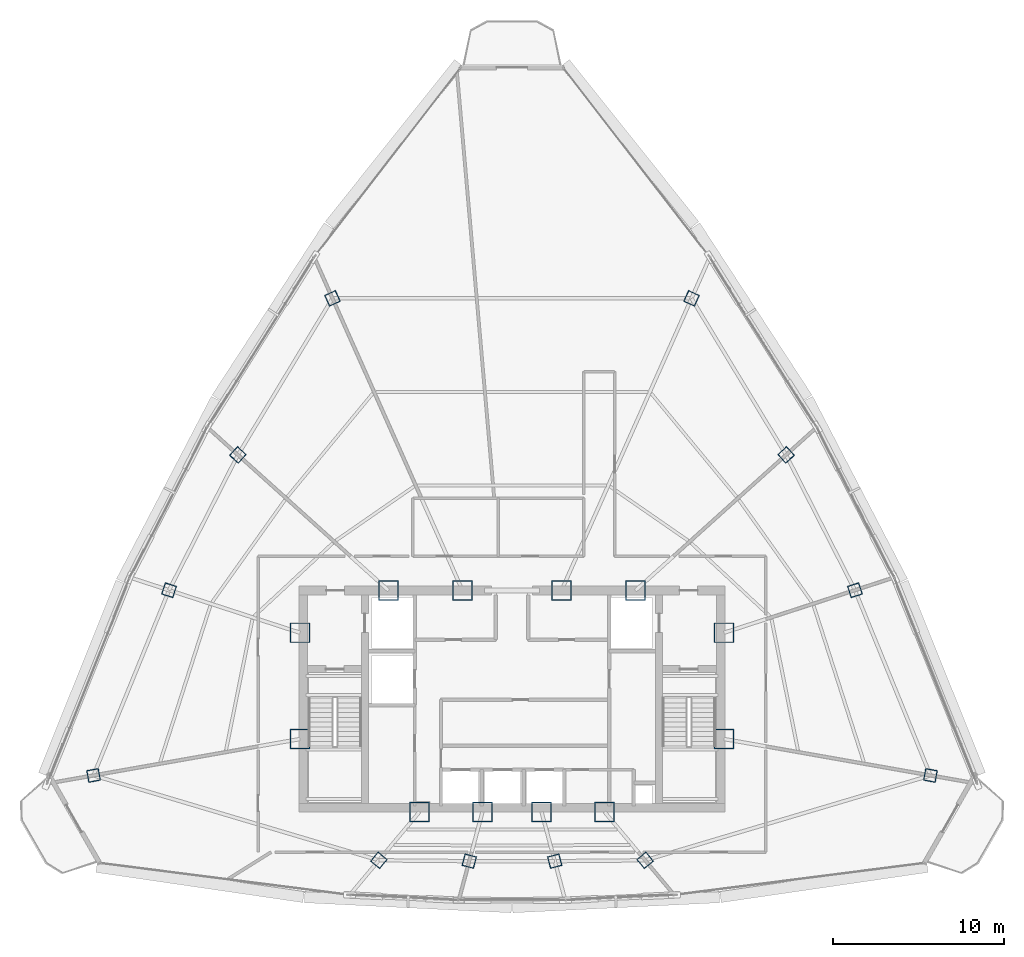
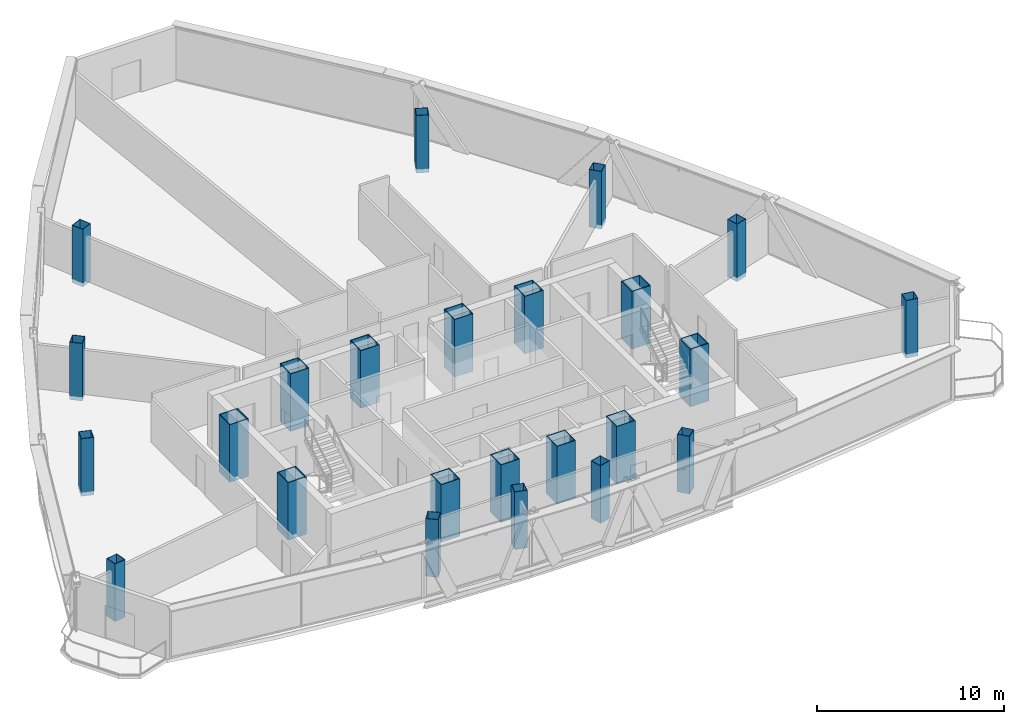
# One storey, part 1 of 30: 24 columns.
"""IFC4 building model written with IfcOpenShell, lengths in metres."""

from ifc_helpers import new_model, si_unit, direction, frame, origin, origin_2d, place, context, subcontext, project, spatial, hollow_rectangle, extrude, source, transform, mapped, material, material_profile, profile_set, type_object, element, save


model = new_model("IFC4")

# Units and contexts
model_context = context("Model", 3, precision=1e-05, world=origin(), true_north=direction((0.0, 1.0)))
body_context = subcontext(model_context, "Body", "Model", "MODEL_VIEW")
ifc_project = project(units=[si_unit("LENGTHUNIT", "METRE"), si_unit("AREAUNIT", "SQUARE_METRE"), si_unit("VOLUMEUNIT", "CUBIC_METRE"), si_unit("PLANEANGLEUNIT", "RADIAN"), si_unit("MASSUNIT", "GRAM", prefix="KILO"), si_unit("THERMODYNAMICTEMPERATUREUNIT", "KELVIN"), si_unit("POWERUNIT", "WATT")], contexts=[model_context])

# Site, building, storey
site_placement = place(None, origin())
site = spatial("IfcSite", under=ifc_project, at=site_placement, CompositionType="ELEMENT")
building_placement = place(site_placement, origin())
building = spatial("IfcBuilding", under=site, at=building_placement, Name="Yunzhuo Pagoda Commons", CompositionType="ELEMENT")
storey_placement = place(building_placement, frame((0.0, 0.0, 348.010009765625)))
storey = spatial("IfcBuildingStorey", under=building, at=storey_placement, Name="L87", CompositionType="ELEMENT", Elevation=348.010009765625)

# Columns
ifc_material_1 = material(Name="Structural steel Q420B", Category="steel")
ifc_material_profile_1 = material_profile(ifc_material_1, hollow_rectangle(XDim=1.14990234375, YDim=1.14990234375, WallThickness=0.048095703125, at=origin_2d()), Name="Structural steel Q420B")
ifc_profile_set_1 = profile_set([ifc_material_profile_1], Name="Structural steel Q420B")
column_type_1 = type_object("IfcColumnType", Name="C-COR Column BOX 1150x1150x48", PredefinedType="COLUMN", material=ifc_profile_set_1)
shared_shape_1 = source(origin(), body_context, "Body", "SweptSolid", [
    extrude(hollow_rectangle(XDim=1.14990234375, YDim=1.14990234375, WallThickness=0.048095703125, at=origin_2d()), origin(), (0.0, 0.0, 1.0), 3.75),
])
for number, where, z_axis, x_axis, name in (
    (1, (42.587890625, 27.25, -0.260009765625), (0.0, 0.0, 1.0), (1.0, 0.0, 0.0), "L87 core composite column F1C1"),
    (2, (46.27197265625, 27.25, -0.260009765625), (0.0, 0.0, 1.0), (1.0, 0.0, 0.0), "L87 core composite column F1C2"),
    (3, (49.728515625, 27.25, -0.260009765625), (0.0, 0.0, 1.0), (1.0, 0.0, 0.0), "L87 core composite column F1C3"),
    (4, (53.412109375, 27.25, -0.260009765625), (0.0, 0.0, 1.0), (1.0, 0.0, 0.0), "L87 core composite column F1C4"),
    (5, (60.39990234375, 31.513427734375, -0.260009765625), (0.0, 0.0, 1.0), (1.0, 0.0, 0.0), "L87 core composite column F2C1"),
    (6, (60.39990234375, 37.72900390625, -0.260009765625), (0.0, 0.0, 1.0), (1.0, 0.0, 0.0), "L87 core composite column F2C2"),
    (7, (55.218994140625, 40.199951171875, -0.260009765625), (0.0, 0.0, 1.0), (1.0, 0.0, 0.0), "L87 core composite column F2C3"),
    (8, (50.89404296875, 40.199951171875, -0.260009765625), (0.0, 0.0, 1.0), (1.0, 0.0, 0.0), "L87 core composite column F2C4"),
    (9, (45.10595703125, 40.199951171875, -0.260009765625), (0.0, 0.0, 1.0), (1.0, 0.0, 0.0), "L87 core composite column F3C1"),
    (10, (40.781005859375, 40.199951171875, -0.260009765625), (0.0, 0.0, 1.0), (1.0, 0.0, 0.0), "L87 core composite column F3C2"),
    (11, (35.60009765625, 37.72900390625, -0.260009765625), (0.0, 0.0, 1.0), (1.0, 0.0, 0.0), "L87 core composite column F3C3"),
    (12, (35.60009765625, 31.513427734375, -0.260009765625), (0.0, 0.0, 1.0), (1.0, 0.0, 0.0), "L87 core composite column F3C4"),
):
    element("IfcColumn", number, at=place(storey_placement, frame(where, z_axis=z_axis, x_axis=x_axis)), inside=storey, type_object=column_type_1, Name=name, PredefinedType="COLUMN", context=body_context, shape_type="MappedRepresentation", body=[
        mapped(shared_shape_1, transform((0.0, 0.0, 0.0), scale=1.0)),
    ])
ifc_material_2 = material(Name="Structural steel Q355B", Category="steel")
ifc_material_profile_2 = material_profile(ifc_material_2, hollow_rectangle(XDim=0.699951171875, YDim=0.699951171875, WallThickness=0.02587890625, at=origin_2d()), Name="Structural steel Q355B")
ifc_profile_set_2 = profile_set([ifc_material_profile_2], Name="Structural steel Q355B")
column_type_2 = type_object("IfcColumnType", Name="C-Z7 Column BOX 700x700x26", PredefinedType="COLUMN", material=ifc_profile_set_2)
shared_shape_2 = source(origin(), body_context, "Body", "SweptSolid", [
    extrude(hollow_rectangle(XDim=0.699951171875, YDim=0.699951171875, WallThickness=0.02587890625, at=origin_2d()), origin(), (0.0, 0.0, 1.0), 3.75),
])
for number, where, z_axis, x_axis, name in (
    (13, (40.214599609375, 24.421630859375, -0.260009765625), (0.0, 0.0, 1.0), (0.766044443119, -0.642787609687, 0.0), "L87 tower column F1C1"),
    (14, (45.500732421875, 24.372802734375, -0.260009765625), (0.0, 0.0, 1.0), (0.965925826289, -0.258819045103, 0.0), "L87 tower column F1C2"),
    (15, (50.499267578125, 24.372802734375, -0.260009765625), (0.0, 0.0, 1.0), (0.965925826289, 0.258819045103, 0.0), "L87 tower column F1C3"),
    (16, (55.785400390625, 24.421630859375, -0.260009765625), (0.0, 0.0, 1.0), (0.766044443119, 0.642787609687, 0.0), "L87 tower column F1C4"),
    (17, (72.47021484375, 29.38525390625, -0.260009765625), (0.0, 0.0, 1.0), (0.173648177667, 0.984807753012, 0.0), "L87 tower column F2C1"),
    (18, (68.053466796875, 40.2158203125, -0.260009765625), (0.0, 0.0, 1.0), (-0.309016994375, 0.951056516295, 0.0), "L87 tower column F2C2"),
    (19, (64.024658203125, 48.128662109375, -0.260009765625), (0.0, 0.0, 1.0), (-0.669130606359, 0.743144825477, 0.0), "L87 tower column F2C3"),
    (20, (58.498779296875, 57.281005859375, -0.260009765625), (0.0, 0.0, 1.0), (-0.913545457643, 0.406736643076, 0.0), "L87 tower column F2C4"),
    (21, (37.501220703125, 57.281005859375, -0.260009765625), (0.0, 0.0, 1.0), (-0.913545457643, -0.406736643076, 0.0), "L87 tower column F3C1"),
    (22, (31.975341796875, 48.128662109375, -0.260009765625), (0.0, 0.0, 1.0), (-0.669130606359, -0.743144825477, 0.0), "L87 tower column F3C2"),
    (23, (27.946533203125, 40.2158203125, -0.260009765625), (0.0, 0.0, 1.0), (-0.309016994375, -0.951056516295, 0.0), "L87 tower column F3C3"),
    (24, (23.52978515625, 29.38525390625, -0.260009765625), (0.0, 0.0, 1.0), (0.173648177667, -0.984807753012, 0.0), "L87 tower column F3C4"),
):
    element("IfcColumn", number, at=place(storey_placement, frame(where, z_axis=z_axis, x_axis=x_axis)), inside=storey, type_object=column_type_2, Name=name, PredefinedType="COLUMN", context=body_context, shape_type="MappedRepresentation", body=[
        mapped(shared_shape_2, transform((0.0, 0.0, 0.0), scale=1.0)),
    ])

save(model, "model.ifc")
